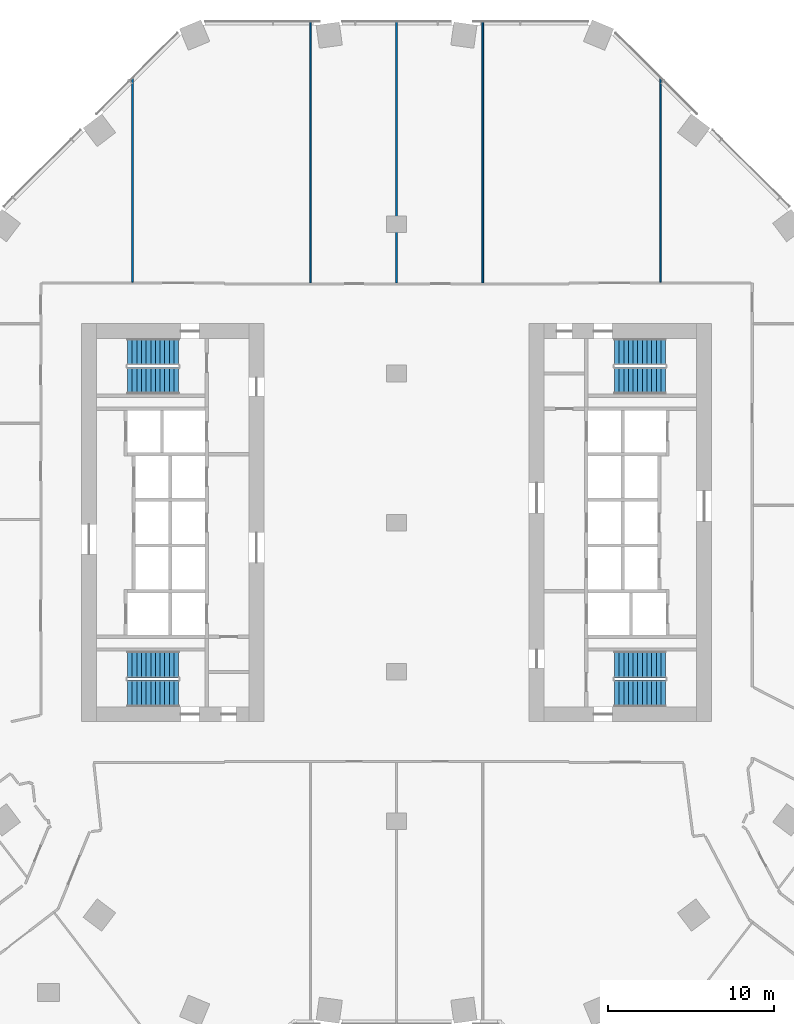
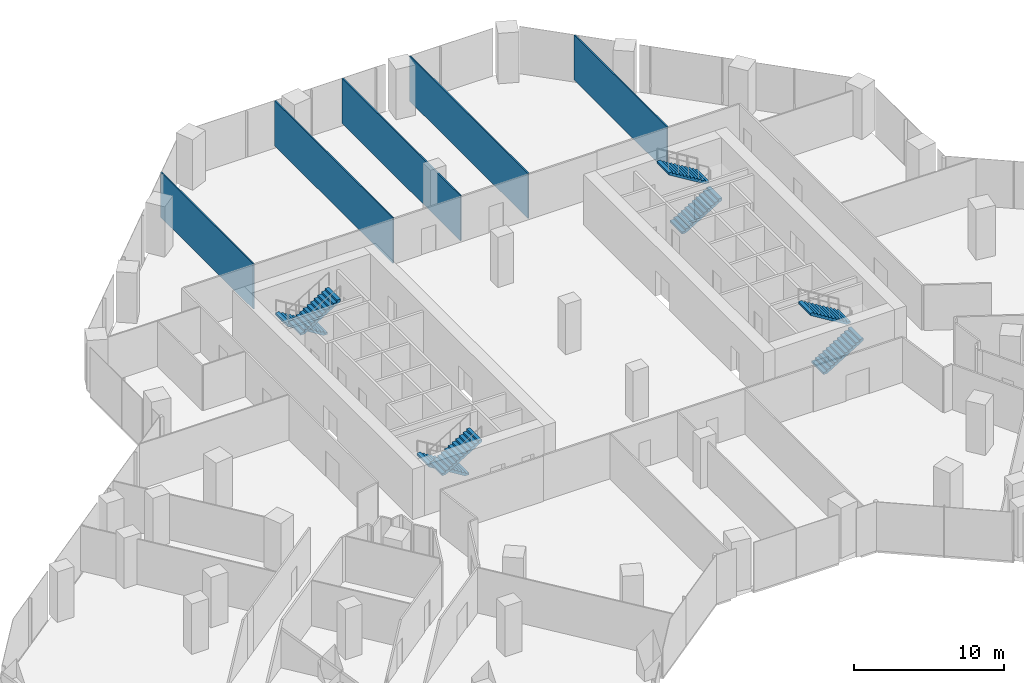
# One storey, part 27 of 29: 8 stair flights, 5 walls, 4 elements without a shape of their own.
"""IFC4 building model written with IfcOpenShell, lengths in metres."""

from ifc_helpers import new_model, si_unit, direction, frame, frame_2d, origin, place, context, subcontext, project, spatial, polyline, rectangle, outline, extrude, material, layer, layer_set, type_object, element, aggregate, save


model = new_model("IFC4")

# Units and contexts
model_context = context("Model", 3, precision=1e-05, world=origin(), true_north=direction((0.0, 1.0)))
body_context = subcontext(model_context, "Body", "Model", "MODEL_VIEW")
ifc_project = project(units=[si_unit("LENGTHUNIT", "METRE"), si_unit("AREAUNIT", "SQUARE_METRE"), si_unit("VOLUMEUNIT", "CUBIC_METRE"), si_unit("PLANEANGLEUNIT", "RADIAN"), si_unit("MASSUNIT", "GRAM", prefix="KILO")], contexts=[model_context])

# Site, building, storey
site_placement = place(None, origin())
site = spatial("IfcSite", under=ifc_project, at=site_placement, CompositionType="ELEMENT")
building_placement = place(site_placement, origin())
building = spatial("IfcBuilding", under=site, at=building_placement, Name="Orlundy Tower", CompositionType="ELEMENT")
storey_placement = place(building_placement, frame((0.0, 0.0, 25.10009765625)))
storey = spatial("IfcBuildingStorey", under=building, at=storey_placement, Name="L04", CompositionType="ELEMENT", Elevation=25.10009765625)

# Walls
ifc_material_1 = material(Name="Gypsum board partition")
ifc_layer = layer(ifc_material_1, 0.10009765625)
ifc_layer_set = layer_set([ifc_layer], Name="Floor partition 100")
wall_type = type_object("IfcWallType", Name="Floor partition 100", PredefinedType="PARTITIONING", material=ifc_layer_set)
wall_1_placement = place(storey_placement, frame((15.9208984375, 14.513916015625, 0.0), z_axis=(0.0, 0.0, 1.0), x_axis=(0.0, 1.0, 0.0)))
element("IfcWall", 1, at=wall_1_placement, inside=storey, type_object=wall_type, Name="wall-int-L04-088", PredefinedType="PARTITIONING", context=body_context, shape_type="SweptSolid", body=[
    extrude(rectangle(XDim=12.344970703125, YDim=0.10009765625, at=frame_2d((6.17236328125, 0.0))), origin(), (0.0, 0.0, 1.0), 3.679931640625),
])
for number, where, z_axis, x_axis, name in (
    (2, (5.196044921875, 14.462890625, 0.0), (0.0, 0.0, 1.0), (0.0, 1.0, 0.0), "wall-int-L04-090"),
    (3, (0.0, 14.462890625, 0.0), (0.0, 0.0, 1.0), (0.0, 1.0, 0.0), "wall-int-L04-092"),
    (4, (-5.195068359375, 14.462890625, 0.0), (0.0, 0.0, 1.0), (0.0, 1.0, 0.0), "wall-int-L04-094"),
):
    element("IfcWall", number, at=place(storey_placement, frame(where, z_axis=z_axis, x_axis=x_axis)), inside=storey, type_object=wall_type, Name=name, PredefinedType="PARTITIONING", context=body_context, shape_type="SweptSolid", body=[
        extrude(rectangle(XDim=15.787109375, YDim=0.10009765625, at=frame_2d((7.8935546875, 0.0))), origin(), (0.0, 0.0, 1.0), 3.679931640625),
    ])
wall_2_placement = place(storey_placement, frame((-15.919921875, 14.513916015625, 0.0), z_axis=(0.0, 0.0, 1.0), x_axis=(0.0, 1.0, 0.0)))
element("IfcWall", 5, at=wall_2_placement, inside=storey, type_object=wall_type, Name="wall-int-L04-095", PredefinedType="PARTITIONING", context=body_context, shape_type="SweptSolid", body=[
    extrude(rectangle(XDim=12.34619140625, YDim=0.10009765625, at=frame_2d((6.173095703125, 0.0))), origin(), (0.0, 0.0, 1.0), 3.679931640625),
])

# Stair, stair flights
ifc_material_2 = material(Name="Concrete C50/60", Category="concrete")
stair_type = type_object("IfcStairType", Name="Exit Stair 24 risers", PredefinedType="HALF_TURN_STAIR", material=ifc_material_2)
stair_1_placement = place(storey_placement, origin())
stair_1 = element("IfcStair", 6, at=stair_1_placement, inside=storey, type_object=stair_type, Name="L04 Exit Stair ST-W1", PredefinedType="HALF_TURN_STAIR")
ifc_material_3 = material(Name="Concrete C50/60", Category="concrete")
stair_flight_type = type_object("IfcStairFlightType", Name="Stair Flight 12 risers", PredefinedType="STRAIGHT", material=ifc_material_3)
stair_flight_1_placement = place(storey_placement, frame((-13.139892578125, 10.300048828125, 0.0), z_axis=(0.0, 0.0, 1.0), x_axis=(-1.0, 0.0, 0.0)))
stair_flight_1 = element("IfcStairFlight", 7, at=stair_flight_1_placement, type_object=stair_flight_type, Name="ST-W1 flight 1", NumberOfRisers=12, NumberOfTreads=11, PredefinedType="STRAIGHT", RiserHeight=0.170833333, TreadLength=0.28, context=body_context, shape_type="SweptSolid", body=[
    extrude(outline(polyline([(0.0, 0.0), (0.0, 0.1708984375), (0.280029296875, 0.1708984375), (0.280029296875, 0.341552734375), (0.56005859375, 0.341552734375), (0.56005859375, 0.512451171875), (0.840087890625, 0.512451171875), (0.840087890625, 0.683349609375), (1.1201171875, 0.683349609375), (1.1201171875, 0.854248046875), (1.39990234375, 0.854248046875), (1.39990234375, 1.02490234375), (1.679931640625, 1.02490234375), (1.679931640625, 1.19580078125), (1.9599609375, 1.19580078125), (1.9599609375, 1.36669921875), (2.239990234375, 1.36669921875), (2.239990234375, 1.53759765625), (2.52001953125, 1.53759765625), (2.52001953125, 1.708251953125), (2.800048828125, 1.708251953125), (2.800048828125, 1.879150390625), (3.080078125, 1.879150390625), (3.080078125, 2.050048828125), (3.080078125, 1.70361328125), (0.287841796875, 0.0), (0.0, 0.0)])), frame((0.0, 0.800048828125, 0.0), z_axis=(0.0, -1.0, 0.0), x_axis=(1.0, 0.0, 0.0)), (0.0, 0.0, 1.0), 1.60009765625),
])
stair_flight_2_placement = place(storey_placement, frame((-16.219970703125, 8.550048828125, 2.0498046875), z_axis=(0.0, 0.0, 1.0), x_axis=(1.0, 0.0, 0.0)))
stair_flight_2 = element("IfcStairFlight", 8, at=stair_flight_2_placement, type_object=stair_flight_type, Name="ST-W1 flight 2", NumberOfRisers=12, NumberOfTreads=11, PredefinedType="STRAIGHT", RiserHeight=0.170833333, TreadLength=0.28, context=body_context, shape_type="SweptSolid", body=[
    extrude(outline(polyline([(0.0, 0.0), (0.0, 0.1708984375), (0.280029296875, 0.1708984375), (0.280029296875, 0.341552734375), (0.56005859375, 0.341552734375), (0.56005859375, 0.512451171875), (0.840087890625, 0.512451171875), (0.840087890625, 0.683349609375), (1.1201171875, 0.683349609375), (1.1201171875, 0.854248046875), (1.39990234375, 0.854248046875), (1.39990234375, 1.02490234375), (1.679931640625, 1.02490234375), (1.679931640625, 1.19580078125), (1.9599609375, 1.19580078125), (1.9599609375, 1.36669921875), (2.239990234375, 1.36669921875), (2.239990234375, 1.53759765625), (2.52001953125, 1.53759765625), (2.52001953125, 1.708251953125), (2.800048828125, 1.708251953125), (2.800048828125, 1.879150390625), (3.080078125, 1.879150390625), (3.080078125, 2.050048828125), (3.080078125, 1.70361328125), (0.287841796875, 0.0), (0.0, 0.0)])), frame((0.0, 0.800048828125, 0.0), z_axis=(0.0, -1.0, 0.0), x_axis=(1.0, 0.0, 0.0)), (0.0, 0.0, 1.0), 1.60009765625),
])
aggregate(stair_1, [stair_flight_1, stair_flight_2])

stair_2_placement = place(storey_placement, origin())
stair_2 = element("IfcStair", 9, at=stair_2_placement, inside=storey, type_object=stair_type, Name="L04 Exit Stair ST-W2", PredefinedType="HALF_TURN_STAIR")
stair_flight_3_placement = place(storey_placement, frame((-13.139892578125, -8.550048828125, 0.0), z_axis=(0.0, 0.0, 1.0), x_axis=(-1.0, 0.0, 0.0)))
stair_flight_3 = element("IfcStairFlight", 10, at=stair_flight_3_placement, type_object=stair_flight_type, Name="ST-W2 flight 1", NumberOfRisers=12, NumberOfTreads=11, PredefinedType="STRAIGHT", RiserHeight=0.170833333, TreadLength=0.28, context=body_context, shape_type="SweptSolid", body=[
    extrude(outline(polyline([(0.0, 0.0), (0.0, 0.1708984375), (0.280029296875, 0.1708984375), (0.280029296875, 0.341552734375), (0.56005859375, 0.341552734375), (0.56005859375, 0.512451171875), (0.840087890625, 0.512451171875), (0.840087890625, 0.683349609375), (1.1201171875, 0.683349609375), (1.1201171875, 0.854248046875), (1.39990234375, 0.854248046875), (1.39990234375, 1.02490234375), (1.679931640625, 1.02490234375), (1.679931640625, 1.19580078125), (1.9599609375, 1.19580078125), (1.9599609375, 1.36669921875), (2.239990234375, 1.36669921875), (2.239990234375, 1.53759765625), (2.52001953125, 1.53759765625), (2.52001953125, 1.708251953125), (2.800048828125, 1.708251953125), (2.800048828125, 1.879150390625), (3.080078125, 1.879150390625), (3.080078125, 2.050048828125), (3.080078125, 1.70361328125), (0.287841796875, 0.0), (0.0, 0.0)])), frame((0.0, 0.800048828125, 0.0), z_axis=(0.0, -1.0, 0.0), x_axis=(1.0, 0.0, 0.0)), (0.0, 0.0, 1.0), 1.60009765625),
])
stair_flight_4_placement = place(storey_placement, frame((-16.219970703125, -10.300048828125, 2.0498046875), z_axis=(0.0, 0.0, 1.0), x_axis=(1.0, 0.0, 0.0)))
stair_flight_4 = element("IfcStairFlight", 11, at=stair_flight_4_placement, type_object=stair_flight_type, Name="ST-W2 flight 2", NumberOfRisers=12, NumberOfTreads=11, PredefinedType="STRAIGHT", RiserHeight=0.170833333, TreadLength=0.28, context=body_context, shape_type="SweptSolid", body=[
    extrude(outline(polyline([(0.0, 0.0), (0.0, 0.1708984375), (0.280029296875, 0.1708984375), (0.280029296875, 0.341552734375), (0.56005859375, 0.341552734375), (0.56005859375, 0.512451171875), (0.840087890625, 0.512451171875), (0.840087890625, 0.683349609375), (1.1201171875, 0.683349609375), (1.1201171875, 0.854248046875), (1.39990234375, 0.854248046875), (1.39990234375, 1.02490234375), (1.679931640625, 1.02490234375), (1.679931640625, 1.19580078125), (1.9599609375, 1.19580078125), (1.9599609375, 1.36669921875), (2.239990234375, 1.36669921875), (2.239990234375, 1.53759765625), (2.52001953125, 1.53759765625), (2.52001953125, 1.708251953125), (2.800048828125, 1.708251953125), (2.800048828125, 1.879150390625), (3.080078125, 1.879150390625), (3.080078125, 2.050048828125), (3.080078125, 1.70361328125), (0.287841796875, 0.0), (0.0, 0.0)])), frame((0.0, 0.800048828125, 0.0), z_axis=(0.0, -1.0, 0.0), x_axis=(1.0, 0.0, 0.0)), (0.0, 0.0, 1.0), 1.60009765625),
])
aggregate(stair_2, [stair_flight_3, stair_flight_4])

stair_3_placement = place(storey_placement, origin())
stair_3 = element("IfcStair", 12, at=stair_3_placement, inside=storey, type_object=stair_type, Name="L04 Exit Stair ST-E1", PredefinedType="HALF_TURN_STAIR")
stair_flight_5_placement = place(storey_placement, frame((13.139892578125, -10.300048828125, 0.0), z_axis=(0.0, 0.0, 1.0), x_axis=(1.0, 0.0, 0.0)))
stair_flight_5 = element("IfcStairFlight", 13, at=stair_flight_5_placement, type_object=stair_flight_type, Name="ST-E1 flight 1", NumberOfRisers=12, NumberOfTreads=11, PredefinedType="STRAIGHT", RiserHeight=0.170833333, TreadLength=0.28, context=body_context, shape_type="SweptSolid", body=[
    extrude(outline(polyline([(0.0, 0.0), (0.0, 0.1708984375), (0.280029296875, 0.1708984375), (0.280029296875, 0.341552734375), (0.56005859375, 0.341552734375), (0.56005859375, 0.512451171875), (0.840087890625, 0.512451171875), (0.840087890625, 0.683349609375), (1.1201171875, 0.683349609375), (1.1201171875, 0.854248046875), (1.39990234375, 0.854248046875), (1.39990234375, 1.02490234375), (1.679931640625, 1.02490234375), (1.679931640625, 1.19580078125), (1.9599609375, 1.19580078125), (1.9599609375, 1.36669921875), (2.239990234375, 1.36669921875), (2.239990234375, 1.53759765625), (2.52001953125, 1.53759765625), (2.52001953125, 1.708251953125), (2.800048828125, 1.708251953125), (2.800048828125, 1.879150390625), (3.080078125, 1.879150390625), (3.080078125, 2.050048828125), (3.080078125, 1.70361328125), (0.287841796875, 0.0), (0.0, 0.0)])), frame((0.0, 0.800048828125, 0.0), z_axis=(0.0, -1.0, 0.0), x_axis=(1.0, 0.0, 0.0)), (0.0, 0.0, 1.0), 1.60009765625),
])
stair_flight_6_placement = place(storey_placement, frame((16.219970703125, -8.550048828125, 2.0498046875), z_axis=(0.0, 0.0, 1.0), x_axis=(-1.0, 0.0, 0.0)))
stair_flight_6 = element("IfcStairFlight", 14, at=stair_flight_6_placement, type_object=stair_flight_type, Name="ST-E1 flight 2", NumberOfRisers=12, NumberOfTreads=11, PredefinedType="STRAIGHT", RiserHeight=0.170833333, TreadLength=0.28, context=body_context, shape_type="SweptSolid", body=[
    extrude(outline(polyline([(0.0, 0.0), (0.0, 0.1708984375), (0.280029296875, 0.1708984375), (0.280029296875, 0.341552734375), (0.56005859375, 0.341552734375), (0.56005859375, 0.512451171875), (0.840087890625, 0.512451171875), (0.840087890625, 0.683349609375), (1.1201171875, 0.683349609375), (1.1201171875, 0.854248046875), (1.39990234375, 0.854248046875), (1.39990234375, 1.02490234375), (1.679931640625, 1.02490234375), (1.679931640625, 1.19580078125), (1.9599609375, 1.19580078125), (1.9599609375, 1.36669921875), (2.239990234375, 1.36669921875), (2.239990234375, 1.53759765625), (2.52001953125, 1.53759765625), (2.52001953125, 1.708251953125), (2.800048828125, 1.708251953125), (2.800048828125, 1.879150390625), (3.080078125, 1.879150390625), (3.080078125, 2.050048828125), (3.080078125, 1.70361328125), (0.287841796875, 0.0), (0.0, 0.0)])), frame((0.0, 0.800048828125, 0.0), z_axis=(0.0, -1.0, 0.0), x_axis=(1.0, 0.0, 0.0)), (0.0, 0.0, 1.0), 1.60009765625),
])
aggregate(stair_3, [stair_flight_5, stair_flight_6])

stair_4_placement = place(storey_placement, origin())
stair_4 = element("IfcStair", 15, at=stair_4_placement, inside=storey, type_object=stair_type, Name="L04 Exit Stair ST-E2", PredefinedType="HALF_TURN_STAIR")
stair_flight_7_placement = place(storey_placement, frame((13.139892578125, 8.550048828125, 0.0), z_axis=(0.0, 0.0, 1.0), x_axis=(1.0, 0.0, 0.0)))
stair_flight_7 = element("IfcStairFlight", 16, at=stair_flight_7_placement, type_object=stair_flight_type, Name="ST-E2 flight 1", NumberOfRisers=12, NumberOfTreads=11, PredefinedType="STRAIGHT", RiserHeight=0.170833333, TreadLength=0.28, context=body_context, shape_type="SweptSolid", body=[
    extrude(outline(polyline([(0.0, 0.0), (0.0, 0.1708984375), (0.280029296875, 0.1708984375), (0.280029296875, 0.341552734375), (0.56005859375, 0.341552734375), (0.56005859375, 0.512451171875), (0.840087890625, 0.512451171875), (0.840087890625, 0.683349609375), (1.1201171875, 0.683349609375), (1.1201171875, 0.854248046875), (1.39990234375, 0.854248046875), (1.39990234375, 1.02490234375), (1.679931640625, 1.02490234375), (1.679931640625, 1.19580078125), (1.9599609375, 1.19580078125), (1.9599609375, 1.36669921875), (2.239990234375, 1.36669921875), (2.239990234375, 1.53759765625), (2.52001953125, 1.53759765625), (2.52001953125, 1.708251953125), (2.800048828125, 1.708251953125), (2.800048828125, 1.879150390625), (3.080078125, 1.879150390625), (3.080078125, 2.050048828125), (3.080078125, 1.70361328125), (0.287841796875, 0.0), (0.0, 0.0)])), frame((0.0, 0.800048828125, 0.0), z_axis=(0.0, -1.0, 0.0), x_axis=(1.0, 0.0, 0.0)), (0.0, 0.0, 1.0), 1.60009765625),
])
stair_flight_8_placement = place(storey_placement, frame((16.219970703125, 10.300048828125, 2.0498046875), z_axis=(0.0, 0.0, 1.0), x_axis=(-1.0, 0.0, 0.0)))
stair_flight_8 = element("IfcStairFlight", 17, at=stair_flight_8_placement, type_object=stair_flight_type, Name="ST-E2 flight 2", NumberOfRisers=12, NumberOfTreads=11, PredefinedType="STRAIGHT", RiserHeight=0.170833333, TreadLength=0.28, context=body_context, shape_type="SweptSolid", body=[
    extrude(outline(polyline([(0.0, 0.0), (0.0, 0.1708984375), (0.280029296875, 0.1708984375), (0.280029296875, 0.341552734375), (0.56005859375, 0.341552734375), (0.56005859375, 0.512451171875), (0.840087890625, 0.512451171875), (0.840087890625, 0.683349609375), (1.1201171875, 0.683349609375), (1.1201171875, 0.854248046875), (1.39990234375, 0.854248046875), (1.39990234375, 1.02490234375), (1.679931640625, 1.02490234375), (1.679931640625, 1.19580078125), (1.9599609375, 1.19580078125), (1.9599609375, 1.36669921875), (2.239990234375, 1.36669921875), (2.239990234375, 1.53759765625), (2.52001953125, 1.53759765625), (2.52001953125, 1.708251953125), (2.800048828125, 1.708251953125), (2.800048828125, 1.879150390625), (3.080078125, 1.879150390625), (3.080078125, 2.050048828125), (3.080078125, 1.70361328125), (0.287841796875, 0.0), (0.0, 0.0)])), frame((0.0, 0.800048828125, 0.0), z_axis=(0.0, -1.0, 0.0), x_axis=(1.0, 0.0, 0.0)), (0.0, 0.0, 1.0), 1.60009765625),
])
aggregate(stair_4, [stair_flight_7, stair_flight_8])

save(model, "model.ifc")
